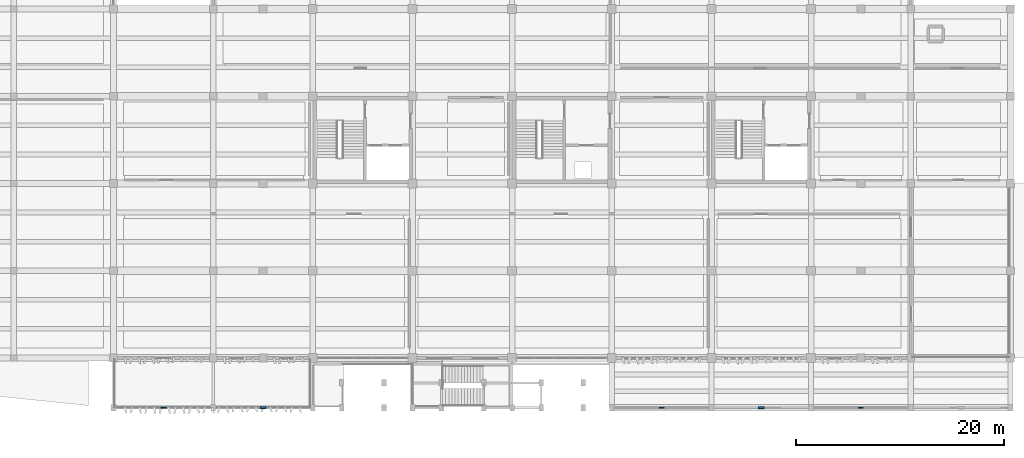
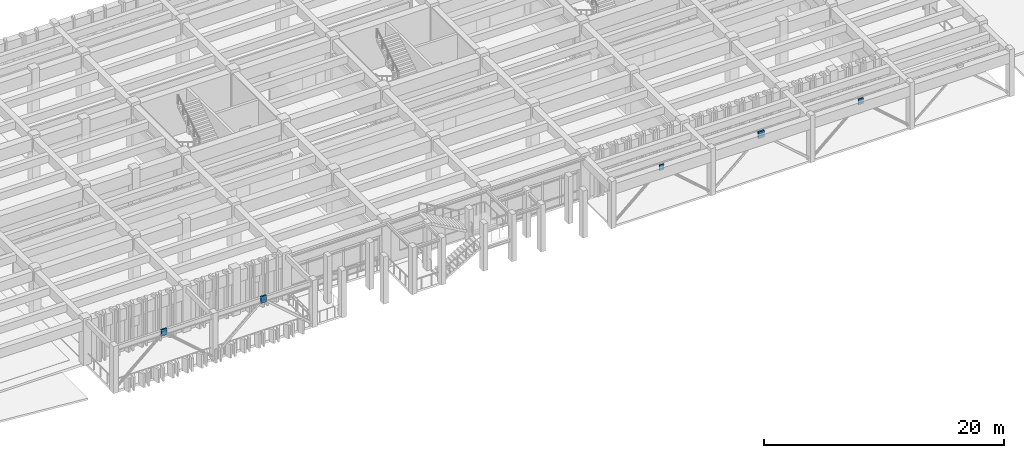
# One storey, part 59 of 86: 5 plates.
"""IFC4 building model written with IfcOpenShell, lengths in metres."""

import ifcopenshell
import ifcopenshell.guid

model = None  # the IFC model being written
_history = None  # IfcOwnerHistory: only IFC2X3 demands one
_inside = {}  # id of a spatial element -> (the spatial element, [elements in it])
_under = {}  # id of a project, library or spatial element -> (it, [spatial elements below it])
_declared = {}  # id of a project -> (the project, [libraries it declares])
_typed = {}  # id of a type object -> (the type object, [elements of that type])
_made_of = {}  # id of a material, layer set ... -> (it, [elements and type objects made of it])


def new_model(schema):
    """Start an empty IFC model of exactly this schema.

    Asked for "IFC4X3", IfcOpenShell would pick the latest addendum, in which some entities
    have other attributes; the version numbers below select the first issue.
    IFC2X3 requires an IfcOwnerHistory on every rooted entity: one is made here for all.
    """
    global model, _history
    if schema == "IFC4X3":
        model = ifcopenshell.file(schema_version=(4, 3, 0, 0))
    else:
        model = ifcopenshell.file(schema=schema)
    _inside.clear()
    _under.clear()
    _declared.clear()
    _typed.clear()
    _made_of.clear()
    _history = None
    if model.schema == "IFC2X3":
        org = make("IfcOrganization", Name="unknown")
        user = make(
            "IfcPersonAndOrganization",
            ThePerson=make("IfcPerson", FamilyName="unknown"),
            TheOrganization=org,
        )
        app = make(
            "IfcApplication",
            ApplicationDeveloper=org,
            Version="unknown",
            ApplicationFullName="unknown",
            ApplicationIdentifier="unknown",
        )
        _history = make(
            "IfcOwnerHistory",
            OwningUser=user,
            OwningApplication=app,
            ChangeAction="ADDED",
            CreationDate=0,
        )
    return model


def make(cls, **values):
    """One entity of the class cls with the attributes given. An attribute that is None is left unset."""
    return model.create_entity(
        cls, **{name: value for name, value in values.items() if value is not None}
    )


def rooted(cls, **values):
    """An entity with a GlobalId (a new one), such as an element, a storey or a relation."""
    return make(cls, GlobalId=ifcopenshell.guid.new(), OwnerHistory=_history, **values)


def si_unit(unit_type, name, prefix=None):
    """IfcSIUnit, for example si_unit("LENGTHUNIT", "METRE", prefix="MILLI")."""
    return make("IfcSIUnit", UnitType=unit_type, Prefix=prefix, Name=name)


def assignment(units):
    """IfcUnitAssignment: the units of a project."""
    return None if units is None else make("IfcUnitAssignment", Units=units)


def point(xyz):
    """IfcCartesianPoint."""
    return None if xyz is None else make("IfcCartesianPoint", Coordinates=xyz)


def direction(xyz):
    """IfcDirection."""
    return None if xyz is None else make("IfcDirection", DirectionRatios=xyz)


def frame(location, z_axis=None, x_axis=None):
    """IfcAxis2Placement3D, a coordinate frame: its origin and axes. An axis left out is left unset."""
    return make(
        "IfcAxis2Placement3D",
        Location=point(location),
        Axis=direction(z_axis),
        RefDirection=direction(x_axis),
    )


def frame_2d(location, x_axis=None):
    """IfcAxis2Placement2D, a coordinate frame in the plane: its origin and x axis."""
    return make(
        "IfcAxis2Placement2D", Location=point(location), RefDirection=direction(x_axis)
    )


def origin():
    """The frame at (0, 0, 0) with its axes left unset."""
    return frame((0.0, 0.0, 0.0))


def origin_2d():
    """The frame at (0, 0) in the plane with its x axis left unset."""
    return frame_2d((0.0, 0.0))


def place(relative_to, where):
    """IfcLocalPlacement: puts the frame where relative to a parent placement (None: the world)."""
    return make(
        "IfcLocalPlacement", PlacementRelTo=relative_to, RelativePlacement=where
    )


def context(
    kind, dimensions, precision=None, world=None, true_north=None, identifier=None
):
    """IfcGeometricRepresentationContext, for example the 3D "Model" context."""
    return make(
        "IfcGeometricRepresentationContext",
        ContextIdentifier=identifier,
        ContextType=kind,
        CoordinateSpaceDimension=dimensions,
        Precision=precision,
        WorldCoordinateSystem=world,
        TrueNorth=true_north,
    )


def subcontext(parent, identifier, kind, view, scale=None):
    """IfcGeometricRepresentationSubContext, for example "Body" below "Model"."""
    return make(
        "IfcGeometricRepresentationSubContext",
        ContextIdentifier=identifier,
        ContextType=kind,
        ParentContext=parent,
        TargetScale=scale,
        TargetView=view,
    )


def project(units=None, contexts=None):
    """IfcProject with its units and contexts."""
    return rooted(
        "IfcProject",
        Name="project",
        RepresentationContexts=contexts,
        UnitsInContext=assignment(units),
    )


def spatial(cls, under=None, at=None, **own):
    """A site, building, storey or space (cls), placed at a placement, below another one or the project."""
    s = rooted(cls, ObjectPlacement=at, **own)
    if under is not None:
        _under.setdefault(under.id(), (under, []))[1].append(s)
    return s


def profile(cls, at=None, kind="AREA", **sizes):
    """A parametric profile (cls). Its sizes go by their IFC names, for example OverallWidth=200.0."""
    return make(cls, ProfileType=kind, Position=at, **sizes)


def rectangle(**sizes):
    """IfcRectangleProfileDef."""
    return profile("IfcRectangleProfileDef", **sizes)


def extrude(swept, where, along, depth):
    """IfcExtrudedAreaSolid: the profile swept, set in the frame where, extruded along a direction by depth."""
    return make(
        "IfcExtrudedAreaSolid",
        SweptArea=swept,
        Position=where,
        ExtrudedDirection=direction(along),
        Depth=depth,
    )


def shape(context_of_items, identifier, shape_type, items):
    """IfcShapeRepresentation: the items that make up one representation, for example the "Body"."""
    return make(
        "IfcShapeRepresentation",
        ContextOfItems=context_of_items,
        RepresentationIdentifier=identifier,
        RepresentationType=shape_type,
        Items=items,
    )


def material(Name=None, Category=None):
    """IfcMaterial."""
    return make("IfcMaterial", Name=Name, Category=Category)


def layer(
    of_material, thickness, ventilated=None, Name=None, Category=None, Priority=None
):
    """IfcMaterialLayer: one layer of a wall or slab, of a material (None: an air gap)."""
    return make(
        "IfcMaterialLayer",
        Material=of_material,
        LayerThickness=thickness,
        IsVentilated=ventilated,
        Name=Name,
        Category=Category,
        Priority=Priority,
    )


def layer_set(layers, Name=None):
    """IfcMaterialLayerSet."""
    return make("IfcMaterialLayerSet", MaterialLayers=layers, LayerSetName=Name)


def made_of(thing, what):
    """Note that an element or type object is made of a material, layer set ...; save() writes the relation."""
    if what is not None:
        _made_of.setdefault(what.id(), (what, []))[1].append(thing)
    return thing


def type_object(cls, material=None, **own):
    """A type object (cls), such as IfcWallType, which elements share."""
    return made_of(rooted(cls, **own), material)


def element(
    cls,
    number,
    at=None,
    inside=None,
    cuts=None,
    type_object=None,
    material=None,
    context=None,
    identifier="Body",
    shape_type=None,
    held_by="IfcProductDefinitionShape",
    body=None,
    shapes=None,
    **own,
):
    """One element of the class cls, such as IfcWall. Its Tag is "e" and its number.

    at: its placement. inside: the storey or other place that contains it. cuts: it is an
    opening in that element (IfcRelVoidsElement). A single representation is given by context,
    identifier, shape_type and body (its items); several are given by shapes. held_by: the class
    of the entity that holds the representations. save() writes the other relations.
    """
    e = rooted(cls, Tag="e%d" % number, ObjectPlacement=at, **own)
    if body is not None:
        shapes = [shape(context, identifier, shape_type, body)]
    if shapes is not None:
        e.Representation = make(held_by, Representations=shapes)
    if inside is not None:
        _inside.setdefault(inside.id(), (inside, []))[1].append(e)
    if cuts is not None:
        rooted(
            "IfcRelVoidsElement", RelatingBuildingElement=cuts, RelatedOpeningElement=e
        )
    if type_object is not None:
        _typed.setdefault(type_object.id(), (type_object, []))[1].append(e)
    return made_of(e, material)


def aggregate(whole, parts):
    """IfcRelAggregates: a whole, such as a stair, and the parts it consists of."""
    return rooted("IfcRelAggregates", RelatingObject=whole, RelatedObjects=parts)


def save(model, path):
    """Write the relations noted so far, then the file.

    IfcRelAggregates (storeys below a building ...), IfcRelContainedInSpatialStructure (elements
    in a storey), IfcRelDefinesByType, IfcRelAssociatesMaterial and IfcRelDeclares: one each for
    every whole, place, type object, material and project.
    """
    for whole, parts in _under.values():
        aggregate(whole, parts)
    for where, things in _inside.values():
        rooted(
            "IfcRelContainedInSpatialStructure",
            RelatedElements=things,
            RelatingStructure=where,
        )
    for kind, things in _typed.values():
        rooted("IfcRelDefinesByType", RelatedObjects=things, RelatingType=kind)
    for what, things in _made_of.values():
        rooted("IfcRelAssociatesMaterial", RelatedObjects=things, RelatingMaterial=what)
    for by, libraries in _declared.values():
        rooted("IfcRelDeclares", RelatingContext=by, RelatedDefinitions=libraries)
    model.write(path)


model = new_model("IFC4")

# Units and contexts
model_context = context("Model", 3, precision=1e-05, world=origin(), true_north=direction((0.0, 1.0)))
body_context = subcontext(model_context, "Body", "Model", "MODEL_VIEW")
ifc_project = project(units=[si_unit("LENGTHUNIT", "METRE"), si_unit("AREAUNIT", "SQUARE_METRE"), si_unit("VOLUMEUNIT", "CUBIC_METRE"), si_unit("PLANEANGLEUNIT", "RADIAN"), si_unit("MASSUNIT", "GRAM", prefix="KILO")], contexts=[model_context])

# Site, building, storey
site_placement = place(None, origin())
site = spatial("IfcSite", under=ifc_project, at=site_placement, CompositionType="ELEMENT")
building_placement = place(site_placement, origin())
building = spatial("IfcBuilding", under=site, at=building_placement, Name="Kolvemor Railside Polytechnic", CompositionType="ELEMENT")
storey_placement = place(building_placement, frame((0.0, 0.0, 5.39990234375)))
storey = spatial("IfcBuildingStorey", under=building, at=storey_placement, Name="L01", CompositionType="ELEMENT", Elevation=5.39990234375)

# Plates
ifc_material_1 = material(Name="Steel S355", Category="steel")
ifc_layer_1 = layer(ifc_material_1, 0.137939453125, Name="PLT-GUSSET-13")
ifc_layer_set_1 = layer_set([ifc_layer_1], Name="Steel S355")
plate_type_1 = type_object("IfcPlateType", Name="PLT-GUSSET-13", PredefinedType="USERDEFINED", material=ifc_layer_set_1)
plate_1_placement = place(storey_placement, frame((52.800048828125, 0.0, 4.02294921875), z_axis=(0.0, 0.0, 1.0), x_axis=(1.0, 0.0, 0.0)))
element("IfcPlate", 1, at=plate_1_placement, inside=storey, type_object=plate_type_1, Name="Brace Chevron Gusset Plate GP-BR13", ObjectType="GUSSET PLATE", PredefinedType="USERDEFINED", context=body_context, shape_type="SweptSolid", body=[
    extrude(rectangle(XDim=0.534912109375, YDim=0.137939453125, at=origin_2d()), origin(), (0.0, 0.0, 1.0), 0.654052734375),
])
ifc_material_2 = material(Name="Steel S355", Category="steel")
ifc_layer_2 = layer(ifc_material_2, 0.14794921875, Name="PLT-GUSSET-14")
ifc_layer_set_2 = layer_set([ifc_layer_2], Name="Steel S355")
plate_type_2 = type_object("IfcPlateType", Name="PLT-GUSSET-14", PredefinedType="USERDEFINED", material=ifc_layer_set_2)
plate_2_placement = place(storey_placement, frame((62.39990234375, 0.0, 4.01416015625), z_axis=(0.0, 0.0, 1.0), x_axis=(1.0, 0.0, 0.0)))
element("IfcPlate", 2, at=plate_2_placement, inside=storey, type_object=plate_type_2, Name="Brace Chevron Gusset Plate GP-BR14", ObjectType="GUSSET PLATE", PredefinedType="USERDEFINED", context=body_context, shape_type="SweptSolid", body=[
    extrude(rectangle(XDim=0.550048828125, YDim=0.14794921875, at=origin_2d()), origin(), (0.0, 0.0, 1.0), 0.672119140625),
])
ifc_material_3 = material(Name="Steel S355", Category="steel")
ifc_layer_3 = layer(ifc_material_3, 0.157958984375, Name="PLT-GUSSET-15")
ifc_layer_set_3 = layer_set([ifc_layer_3], Name="Steel S355")
plate_type_3 = type_object("IfcPlateType", Name="PLT-GUSSET-15", PredefinedType="USERDEFINED", material=ifc_layer_set_3)
plate_3_placement = place(storey_placement, frame((110.39990234375, 0.0, 4.005126953125), z_axis=(0.0, 0.0, 1.0), x_axis=(1.0, 0.0, 0.0)))
element("IfcPlate", 3, at=plate_3_placement, inside=storey, type_object=plate_type_3, Name="Brace Chevron Gusset Plate GP-BR15", ObjectType="GUSSET PLATE", PredefinedType="USERDEFINED", context=body_context, shape_type="SweptSolid", body=[
    extrude(rectangle(XDim=0.56494140625, YDim=0.157958984375, at=origin_2d()), origin(), (0.0, 0.0, 1.0), 0.68994140625),
])
ifc_material_4 = material(Name="Steel S355", Category="steel")
ifc_layer_4 = layer(ifc_material_4, 0.087890625, Name="PLT-GUSSET-8")
ifc_layer_set_4 = layer_set([ifc_layer_4], Name="Steel S355")
plate_type_4 = type_object("IfcPlateType", Name="PLT-GUSSET-8", PredefinedType="USERDEFINED", material=ifc_layer_set_4)
plate_4_placement = place(storey_placement, frame((100.800048828125, 0.0, 4.068115234375), z_axis=(0.0, 0.0, 1.0), x_axis=(1.0, 0.0, 0.0)))
element("IfcPlate", 4, at=plate_4_placement, inside=storey, type_object=plate_type_4, Name="Brace Chevron Gusset Plate GP-BR24", ObjectType="GUSSET PLATE", PredefinedType="USERDEFINED", context=body_context, shape_type="SweptSolid", body=[
    extrude(rectangle(XDim=0.4599609375, YDim=0.087890625, at=origin_2d()), origin(), (0.0, 0.0, 1.0), 0.56396484375),
])
ifc_material_5 = material(Name="Steel S355", Category="steel")
ifc_layer_5 = layer(ifc_material_5, 0.097900390625, Name="PLT-GUSSET-9")
ifc_layer_set_5 = layer_set([ifc_layer_5], Name="Steel S355")
plate_type_5 = type_object("IfcPlateType", Name="PLT-GUSSET-9", PredefinedType="USERDEFINED", material=ifc_layer_set_5)
plate_5_placement = place(storey_placement, frame((120.0, 0.0, 4.05908203125), z_axis=(0.0, 0.0, 1.0), x_axis=(1.0, 0.0, 0.0)))
element("IfcPlate", 5, at=plate_5_placement, inside=storey, type_object=plate_type_5, Name="Brace Chevron Gusset Plate GP-BR25", ObjectType="GUSSET PLATE", PredefinedType="USERDEFINED", context=body_context, shape_type="SweptSolid", body=[
    extrude(rectangle(XDim=0.47509765625, YDim=0.097900390625, at=origin_2d()), origin(), (0.0, 0.0, 1.0), 0.58203125),
])

save(model, "model.ifc")
